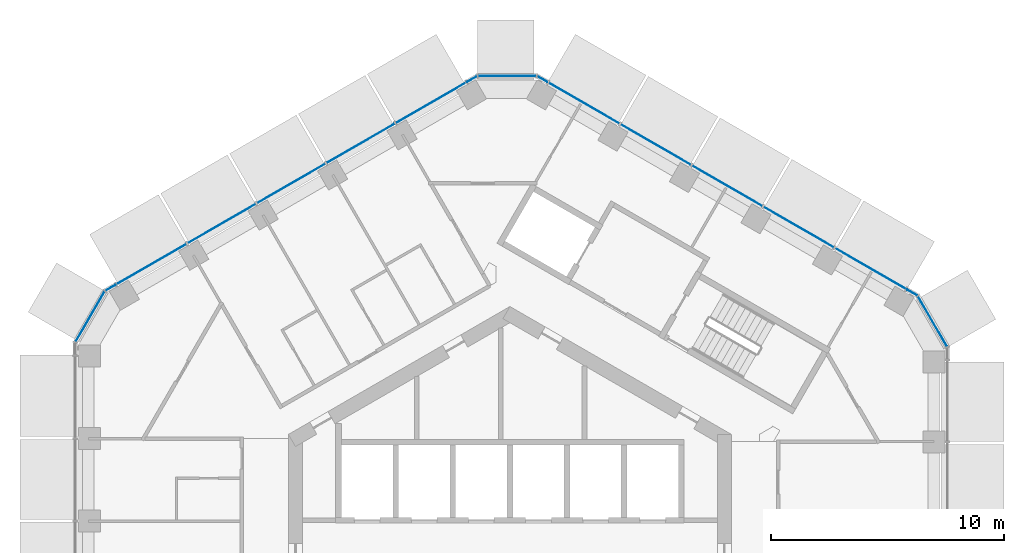
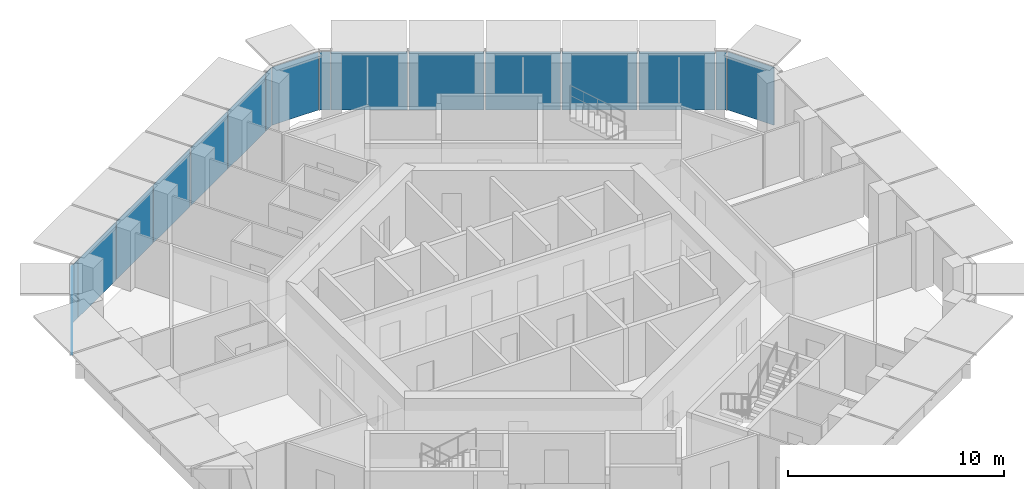
# One storey, part 12 of 18: 17 plates, 5 elements without a shape of their own.
"""IFC4 building model written with IfcOpenShell, lengths in metres."""

import ifcopenshell
import ifcopenshell.guid

model = None  # the IFC model being written
_history = None  # IfcOwnerHistory: only IFC2X3 demands one
_inside = {}  # id of a spatial element -> (the spatial element, [elements in it])
_under = {}  # id of a project, library or spatial element -> (it, [spatial elements below it])
_declared = {}  # id of a project -> (the project, [libraries it declares])
_typed = {}  # id of a type object -> (the type object, [elements of that type])
_made_of = {}  # id of a material, layer set ... -> (it, [elements and type objects made of it])


def new_model(schema):
    """Start an empty IFC model of exactly this schema.

    Asked for "IFC4X3", IfcOpenShell would pick the latest addendum, in which some entities
    have other attributes; the version numbers below select the first issue.
    IFC2X3 requires an IfcOwnerHistory on every rooted entity: one is made here for all.
    """
    global model, _history
    if schema == "IFC4X3":
        model = ifcopenshell.file(schema_version=(4, 3, 0, 0))
    else:
        model = ifcopenshell.file(schema=schema)
    _inside.clear()
    _under.clear()
    _declared.clear()
    _typed.clear()
    _made_of.clear()
    _history = None
    if model.schema == "IFC2X3":
        org = make("IfcOrganization", Name="unknown")
        user = make(
            "IfcPersonAndOrganization",
            ThePerson=make("IfcPerson", FamilyName="unknown"),
            TheOrganization=org,
        )
        app = make(
            "IfcApplication",
            ApplicationDeveloper=org,
            Version="unknown",
            ApplicationFullName="unknown",
            ApplicationIdentifier="unknown",
        )
        _history = make(
            "IfcOwnerHistory",
            OwningUser=user,
            OwningApplication=app,
            ChangeAction="ADDED",
            CreationDate=0,
        )
    return model


def make(cls, **values):
    """One entity of the class cls with the attributes given. An attribute that is None is left unset."""
    return model.create_entity(
        cls, **{name: value for name, value in values.items() if value is not None}
    )


def rooted(cls, **values):
    """An entity with a GlobalId (a new one), such as an element, a storey or a relation."""
    return make(cls, GlobalId=ifcopenshell.guid.new(), OwnerHistory=_history, **values)


def si_unit(unit_type, name, prefix=None):
    """IfcSIUnit, for example si_unit("LENGTHUNIT", "METRE", prefix="MILLI")."""
    return make("IfcSIUnit", UnitType=unit_type, Prefix=prefix, Name=name)


def assignment(units):
    """IfcUnitAssignment: the units of a project."""
    return None if units is None else make("IfcUnitAssignment", Units=units)


def point(xyz):
    """IfcCartesianPoint."""
    return None if xyz is None else make("IfcCartesianPoint", Coordinates=xyz)


def direction(xyz):
    """IfcDirection."""
    return None if xyz is None else make("IfcDirection", DirectionRatios=xyz)


def frame(location, z_axis=None, x_axis=None):
    """IfcAxis2Placement3D, a coordinate frame: its origin and axes. An axis left out is left unset."""
    return make(
        "IfcAxis2Placement3D",
        Location=point(location),
        Axis=direction(z_axis),
        RefDirection=direction(x_axis),
    )


def frame_2d(location, x_axis=None):
    """IfcAxis2Placement2D, a coordinate frame in the plane: its origin and x axis."""
    return make(
        "IfcAxis2Placement2D", Location=point(location), RefDirection=direction(x_axis)
    )


def origin():
    """The frame at (0, 0, 0) with its axes left unset."""
    return frame((0.0, 0.0, 0.0))


def origin_2d():
    """The frame at (0, 0) in the plane with its x axis left unset."""
    return frame_2d((0.0, 0.0))


def place(relative_to, where):
    """IfcLocalPlacement: puts the frame where relative to a parent placement (None: the world)."""
    return make(
        "IfcLocalPlacement", PlacementRelTo=relative_to, RelativePlacement=where
    )


def context(
    kind, dimensions, precision=None, world=None, true_north=None, identifier=None
):
    """IfcGeometricRepresentationContext, for example the 3D "Model" context."""
    return make(
        "IfcGeometricRepresentationContext",
        ContextIdentifier=identifier,
        ContextType=kind,
        CoordinateSpaceDimension=dimensions,
        Precision=precision,
        WorldCoordinateSystem=world,
        TrueNorth=true_north,
    )


def subcontext(parent, identifier, kind, view, scale=None):
    """IfcGeometricRepresentationSubContext, for example "Body" below "Model"."""
    return make(
        "IfcGeometricRepresentationSubContext",
        ContextIdentifier=identifier,
        ContextType=kind,
        ParentContext=parent,
        TargetScale=scale,
        TargetView=view,
    )


def project(units=None, contexts=None):
    """IfcProject with its units and contexts."""
    return rooted(
        "IfcProject",
        Name="project",
        RepresentationContexts=contexts,
        UnitsInContext=assignment(units),
    )


def spatial(cls, under=None, at=None, **own):
    """A site, building, storey or space (cls), placed at a placement, below another one or the project."""
    s = rooted(cls, ObjectPlacement=at, **own)
    if under is not None:
        _under.setdefault(under.id(), (under, []))[1].append(s)
    return s


def profile(cls, at=None, kind="AREA", **sizes):
    """A parametric profile (cls). Its sizes go by their IFC names, for example OverallWidth=200.0."""
    return make(cls, ProfileType=kind, Position=at, **sizes)


def rectangle(**sizes):
    """IfcRectangleProfileDef."""
    return profile("IfcRectangleProfileDef", **sizes)


def extrude(swept, where, along, depth):
    """IfcExtrudedAreaSolid: the profile swept, set in the frame where, extruded along a direction by depth."""
    return make(
        "IfcExtrudedAreaSolid",
        SweptArea=swept,
        Position=where,
        ExtrudedDirection=direction(along),
        Depth=depth,
    )


def shape(context_of_items, identifier, shape_type, items):
    """IfcShapeRepresentation: the items that make up one representation, for example the "Body"."""
    return make(
        "IfcShapeRepresentation",
        ContextOfItems=context_of_items,
        RepresentationIdentifier=identifier,
        RepresentationType=shape_type,
        Items=items,
    )


def material(Name=None, Category=None):
    """IfcMaterial."""
    return make("IfcMaterial", Name=Name, Category=Category)


def layer(
    of_material, thickness, ventilated=None, Name=None, Category=None, Priority=None
):
    """IfcMaterialLayer: one layer of a wall or slab, of a material (None: an air gap)."""
    return make(
        "IfcMaterialLayer",
        Material=of_material,
        LayerThickness=thickness,
        IsVentilated=ventilated,
        Name=Name,
        Category=Category,
        Priority=Priority,
    )


def layer_set(layers, Name=None):
    """IfcMaterialLayerSet."""
    return make("IfcMaterialLayerSet", MaterialLayers=layers, LayerSetName=Name)


def made_of(thing, what):
    """Note that an element or type object is made of a material, layer set ...; save() writes the relation."""
    if what is not None:
        _made_of.setdefault(what.id(), (what, []))[1].append(thing)
    return thing


def type_object(cls, material=None, **own):
    """A type object (cls), such as IfcWallType, which elements share."""
    return made_of(rooted(cls, **own), material)


def element(
    cls,
    number,
    at=None,
    inside=None,
    cuts=None,
    type_object=None,
    material=None,
    context=None,
    identifier="Body",
    shape_type=None,
    held_by="IfcProductDefinitionShape",
    body=None,
    shapes=None,
    **own,
):
    """One element of the class cls, such as IfcWall. Its Tag is "e" and its number.

    at: its placement. inside: the storey or other place that contains it. cuts: it is an
    opening in that element (IfcRelVoidsElement). A single representation is given by context,
    identifier, shape_type and body (its items); several are given by shapes. held_by: the class
    of the entity that holds the representations. save() writes the other relations.
    """
    e = rooted(cls, Tag="e%d" % number, ObjectPlacement=at, **own)
    if body is not None:
        shapes = [shape(context, identifier, shape_type, body)]
    if shapes is not None:
        e.Representation = make(held_by, Representations=shapes)
    if inside is not None:
        _inside.setdefault(inside.id(), (inside, []))[1].append(e)
    if cuts is not None:
        rooted(
            "IfcRelVoidsElement", RelatingBuildingElement=cuts, RelatedOpeningElement=e
        )
    if type_object is not None:
        _typed.setdefault(type_object.id(), (type_object, []))[1].append(e)
    return made_of(e, material)


def aggregate(whole, parts):
    """IfcRelAggregates: a whole, such as a stair, and the parts it consists of."""
    return rooted("IfcRelAggregates", RelatingObject=whole, RelatedObjects=parts)


def save(model, path):
    """Write the relations noted so far, then the file.

    IfcRelAggregates (storeys below a building ...), IfcRelContainedInSpatialStructure (elements
    in a storey), IfcRelDefinesByType, IfcRelAssociatesMaterial and IfcRelDeclares: one each for
    every whole, place, type object, material and project.
    """
    for whole, parts in _under.values():
        aggregate(whole, parts)
    for where, things in _inside.values():
        rooted(
            "IfcRelContainedInSpatialStructure",
            RelatedElements=things,
            RelatingStructure=where,
        )
    for kind, things in _typed.values():
        rooted("IfcRelDefinesByType", RelatedObjects=things, RelatingType=kind)
    for what, things in _made_of.values():
        rooted("IfcRelAssociatesMaterial", RelatedObjects=things, RelatingMaterial=what)
    for by, libraries in _declared.values():
        rooted("IfcRelDeclares", RelatingContext=by, RelatedDefinitions=libraries)
    model.write(path)


model = new_model("IFC4")

# Units and contexts
model_context = context("Model", 3, precision=1e-05, world=origin(), true_north=direction((0.0, 1.0)))
body_context = subcontext(model_context, "Body", "Model", "MODEL_VIEW")
ifc_project = project(units=[si_unit("LENGTHUNIT", "METRE"), si_unit("AREAUNIT", "SQUARE_METRE"), si_unit("VOLUMEUNIT", "CUBIC_METRE"), si_unit("PLANEANGLEUNIT", "RADIAN"), si_unit("MASSUNIT", "GRAM", prefix="KILO")], contexts=[model_context])

# Site, building, storey
site_placement = place(None, origin())
site = spatial("IfcSite", under=ifc_project, at=site_placement, CompositionType="ELEMENT")
building_placement = place(site_placement, origin())
building = spatial("IfcBuilding", under=site, at=building_placement, Name="Ayvan Gate Tower", CompositionType="ELEMENT")
storey_placement = place(building_placement, frame((0.0, 0.0, 159.5)))
storey = spatial("IfcBuildingStorey", under=building, at=storey_placement, Name="L42", CompositionType="ELEMENT", Elevation=159.5)

# Curtain wall, plates
ifc_material_1 = material(Name="Bronze anodised aluminium", Category="aluminium")
ifc_layer_1 = layer(ifc_material_1, 0.199951171875)
ifc_layer_set_1 = layer_set([ifc_layer_1], Name="Bronze anodised aluminium")
curtain_wall_type_1 = type_object("IfcCurtainWallType", Name="Stick curtain wall CW-2", PredefinedType="NOTDEFINED", material=ifc_layer_set_1)
curtain_wall_1_placement = place(storey_placement, origin())
curtain_wall_1 = element("IfcCurtainWall", 1, at=curtain_wall_1_placement, inside=storey, type_object=curtain_wall_type_1, Name="Stick curtain wall CW-2 L42", PredefinedType="NOTDEFINED")
ifc_material_2 = material(Name="Clear low-iron laminated glass", Category="glass")
ifc_layer_2 = layer(ifc_material_2, 0.028076171875)
ifc_layer_set_2 = layer_set([ifc_layer_2], Name="Clear low-iron laminated glass")
plate_type_1 = type_object("IfcPlateType", Name="Stick curtain wall CW-2 glass panel", PredefinedType="CURTAIN_PANEL", material=ifc_layer_set_2)
plate_1_placement = place(storey_placement, frame((-3.37744140625, 19.714111328125, 0.0), z_axis=(0.0, 0.0, 1.0), x_axis=(-0.866025403784, -0.5, 0.0)))
plate_1 = element("IfcPlate", 2, at=plate_1_placement, type_object=plate_type_1, Name="CW-2 glass panel 1", PredefinedType="CURTAIN_PANEL", context=body_context, shape_type="SweptSolid", body=[
    extrude(rectangle(XDim=3.47900390625, YDim=0.028076171875, at=origin_2d()), origin(), (0.0, 0.0, 1.0), 3.280029296875),
])
plate_2_placement = place(storey_placement, frame((-6.40283203125, 17.96728515625, 0.0), z_axis=(0.0, 0.0, 1.0), x_axis=(-0.866025403784, -0.5, 0.0)))
plate_2 = element("IfcPlate", 3, at=plate_2_placement, type_object=plate_type_1, Name="CW-2 glass panel 2", PredefinedType="CURTAIN_PANEL", context=body_context, shape_type="SweptSolid", body=[
    extrude(rectangle(XDim=3.367919921875, YDim=0.028076171875, at=origin_2d()), origin(), (0.0, 0.0, 1.0), 3.280029296875),
])
plate_3_placement = place(storey_placement, frame((-9.380615234375, 16.248046875, 0.0), z_axis=(0.0, 0.0, 1.0), x_axis=(-0.866025403784, -0.5, 0.0)))
plate_3 = element("IfcPlate", 4, at=plate_3_placement, type_object=plate_type_1, Name="CW-2 glass panel 3", PredefinedType="CURTAIN_PANEL", context=body_context, shape_type="SweptSolid", body=[
    extrude(rectangle(XDim=3.368896484375, YDim=0.028076171875, at=origin_2d()), origin(), (0.0, 0.0, 1.0), 3.280029296875),
])
plate_4_placement = place(storey_placement, frame((-12.35888671875, 14.528564453125, 0.0), z_axis=(0.0, 0.0, 1.0), x_axis=(-0.866025403784, -0.5, 0.0)))
plate_4 = element("IfcPlate", 5, at=plate_4_placement, type_object=plate_type_1, Name="CW-2 glass panel 4", PredefinedType="CURTAIN_PANEL", context=body_context, shape_type="SweptSolid", body=[
    extrude(rectangle(XDim=3.368896484375, YDim=0.028076171875, at=origin_2d()), origin(), (0.0, 0.0, 1.0), 3.280029296875),
])
plate_5_placement = place(storey_placement, frame((-15.384521484375, 12.78173828125, 0.0), z_axis=(0.0, 0.0, 1.0), x_axis=(-0.866025403784, -0.5, 0.0)))
plate_5 = element("IfcPlate", 6, at=plate_5_placement, type_object=plate_type_1, Name="CW-2 glass panel 5", PredefinedType="CURTAIN_PANEL", context=body_context, shape_type="SweptSolid", body=[
    extrude(rectangle(XDim=3.478271484375, YDim=0.028076171875, at=origin_2d()), origin(), (0.0, 0.0, 1.0), 3.280029296875),
])
aggregate(curtain_wall_1, [plate_1, plate_2, plate_3, plate_4, plate_5])

curtain_wall_2_placement = place(storey_placement, origin())
curtain_wall_2 = element("IfcCurtainWall", 7, at=curtain_wall_2_placement, inside=storey, type_object=curtain_wall_type_1, Name="Stick curtain wall CW-2 L42", PredefinedType="NOTDEFINED")
plate_6_placement = place(storey_placement, frame((15.480712890625, 12.589111328125, 0.0), z_axis=(0.0, 0.0, 1.0), x_axis=(-0.866025403784, 0.5, 0.0)))
plate_6 = element("IfcPlate", 8, at=plate_6_placement, type_object=plate_type_1, Name="CW-2 glass panel 1", PredefinedType="CURTAIN_PANEL", context=body_context, shape_type="SweptSolid", body=[
    extrude(rectangle(XDim=3.530029296875, YDim=0.028076171875, at=origin_2d()), origin(), (0.0, 0.0, 1.0), 3.280029296875),
])
plate_7_placement = place(storey_placement, frame((12.388671875, 14.374267578125, 0.0), z_axis=(0.0, 0.0, 1.0), x_axis=(-0.866025403784, 0.5, 0.0)))
plate_7 = element("IfcPlate", 9, at=plate_7_placement, type_object=plate_type_1, Name="CW-2 glass panel 2", PredefinedType="CURTAIN_PANEL", context=body_context, shape_type="SweptSolid", body=[
    extrude(rectangle(XDim=3.470947265625, YDim=0.028076171875, at=origin_2d()), origin(), (0.0, 0.0, 1.0), 3.280029296875),
])
plate_8_placement = place(storey_placement, frame((9.321533203125, 16.14501953125, 0.0), z_axis=(0.0, 0.0, 1.0), x_axis=(-0.866025403784, 0.5, 0.0)))
plate_8 = element("IfcPlate", 10, at=plate_8_placement, type_object=plate_type_1, Name="CW-2 glass panel 3", PredefinedType="CURTAIN_PANEL", context=body_context, shape_type="SweptSolid", body=[
    extrude(rectangle(XDim=3.471923828125, YDim=0.028076171875, at=origin_2d()), origin(), (0.0, 0.0, 1.0), 3.280029296875),
])
plate_9_placement = place(storey_placement, frame((6.254638671875, 17.915771484375, 0.0), z_axis=(0.0, 0.0, 1.0), x_axis=(-0.866025403784, 0.5, 0.0)))
plate_9 = element("IfcPlate", 11, at=plate_9_placement, type_object=plate_type_1, Name="CW-2 glass panel 4", PredefinedType="CURTAIN_PANEL", context=body_context, shape_type="SweptSolid", body=[
    extrude(rectangle(XDim=3.470947265625, YDim=0.028076171875, at=origin_2d()), origin(), (0.0, 0.0, 1.0), 3.280029296875),
])
plate_10_placement = place(storey_placement, frame((3.162353515625, 19.701171875, 0.0), z_axis=(0.0, 0.0, 1.0), x_axis=(-0.866025403784, 0.5, 0.0)))
plate_10 = element("IfcPlate", 12, at=plate_10_placement, type_object=plate_type_1, Name="CW-2 glass panel 5", PredefinedType="CURTAIN_PANEL", context=body_context, shape_type="SweptSolid", body=[
    extrude(rectangle(XDim=3.5302734375, YDim=0.028076171875, at=origin_2d()), origin(), (0.0, 0.0, 1.0), 3.280029296875),
])
aggregate(curtain_wall_2, [plate_6, plate_7, plate_8, plate_9, plate_10])

ifc_layer_3 = layer(ifc_material_1, 0.199951171875)
ifc_layer_set_3 = layer_set([ifc_layer_3], Name="Bronze anodised aluminium")
curtain_wall_type_2 = type_object("IfcCurtainWallType", Name="Stick curtain wall CW-6", PredefinedType="NOTDEFINED", material=ifc_layer_set_3)
curtain_wall_3_placement = place(storey_placement, origin())
curtain_wall_3 = element("IfcCurtainWall", 13, at=curtain_wall_3_placement, inside=storey, type_object=curtain_wall_type_2, Name="Stick curtain wall CW-6 L42", PredefinedType="NOTDEFINED")
ifc_layer_4 = layer(ifc_material_2, 0.028076171875)
ifc_layer_set_4 = layer_set([ifc_layer_4], Name="Clear low-iron laminated glass")
plate_type_2 = type_object("IfcPlateType", Name="Stick curtain wall CW-6 glass panel", PredefinedType="CURTAIN_PANEL", material=ifc_layer_set_4)
plate_11_placement = place(storey_placement, frame((-17.137451171875, 11.769775390625, 0.0), z_axis=(0.0, 0.0, 1.0), x_axis=(-0.866025403784, -0.5, 0.0)))
plate_11 = element("IfcPlate", 14, at=plate_11_placement, type_object=plate_type_2, Name="CW-6 glass panel 1", PredefinedType="CURTAIN_PANEL", context=body_context, shape_type="SweptSolid", body=[
    extrude(rectangle(XDim=0.5, YDim=0.028076171875, at=origin_2d()), origin(), (0.0, 0.0, 1.0), 3.280029296875),
])
plate_12_placement = place(storey_placement, frame((-18.00927734375, 10.53466796875, 0.0), z_axis=(0.0, 0.0, 1.0), x_axis=(-0.5, -0.866025403784, 0.0)))
plate_12 = element("IfcPlate", 15, at=plate_12_placement, type_object=plate_type_2, Name="CW-6 glass panel 2", PredefinedType="CURTAIN_PANEL", context=body_context, shape_type="SweptSolid", body=[
    extrude(rectangle(XDim=2.484619140625, YDim=0.028076171875, at=origin_2d()), origin(), (0.0, 0.0, 1.0), 3.280029296875),
])
aggregate(curtain_wall_3, [plate_11, plate_12])

curtain_wall_4_placement = place(storey_placement, origin())
curtain_wall_4 = element("IfcCurtainWall", 16, at=curtain_wall_4_placement, inside=storey, type_object=curtain_wall_type_2, Name="Stick curtain wall CW-6 L42", PredefinedType="NOTDEFINED")
plate_13_placement = place(storey_placement, frame((18.1279296875, 10.3291015625, 0.0), z_axis=(0.0, 0.0, 1.0), x_axis=(-0.5, 0.866025403784, 0.0)))
plate_13 = element("IfcPlate", 17, at=plate_13_placement, type_object=plate_type_2, Name="CW-6 glass panel 2", PredefinedType="CURTAIN_PANEL", context=body_context, shape_type="SweptSolid", body=[
    extrude(rectangle(XDim=2.484619140625, YDim=0.028076171875, at=origin_2d()), origin(), (0.0, 0.0, 1.0), 3.280029296875),
])
plate_14_placement = place(storey_placement, frame((17.256103515625, 11.56396484375, 0.0), z_axis=(0.0, 0.0, 1.0), x_axis=(-0.866025403784, 0.5, 0.0)))
plate_14 = element("IfcPlate", 18, at=plate_14_placement, type_object=plate_type_2, Name="CW-6 glass panel 3", PredefinedType="CURTAIN_PANEL", context=body_context, shape_type="SweptSolid", body=[
    extrude(rectangle(XDim=0.5, YDim=0.028076171875, at=origin_2d()), origin(), (0.0, 0.0, 1.0), 3.280029296875),
])
aggregate(curtain_wall_4, [plate_13, plate_14])

curtain_wall_5_placement = place(storey_placement, origin())
curtain_wall_5 = element("IfcCurtainWall", 19, at=curtain_wall_5_placement, inside=storey, type_object=curtain_wall_type_2, Name="Stick curtain wall CW-6 L42", PredefinedType="NOTDEFINED")
plate_15_placement = place(storey_placement, frame((1.38671875, 20.726318359375, 0.0), z_axis=(0.0, 0.0, 1.0), x_axis=(-0.866025403784, 0.5, 0.0)))
plate_15 = element("IfcPlate", 20, at=plate_15_placement, type_object=plate_type_2, Name="CW-6 glass panel 1", PredefinedType="CURTAIN_PANEL", context=body_context, shape_type="SweptSolid", body=[
    extrude(rectangle(XDim=0.5, YDim=0.028076171875, at=origin_2d()), origin(), (0.0, 0.0, 1.0), 3.280029296875),
])
plate_16_placement = place(storey_placement, frame((-0.11865234375, 20.86376953125, 0.0), z_axis=(0.0, 0.0, 1.0), x_axis=(-1.0, 0.0, 0.0)))
plate_16 = element("IfcPlate", 21, at=plate_16_placement, type_object=plate_type_2, Name="CW-6 glass panel 2", PredefinedType="CURTAIN_PANEL", context=body_context, shape_type="SweptSolid", body=[
    extrude(rectangle(XDim=2.484619140625, YDim=0.028076171875, at=origin_2d()), origin(), (0.0, 0.0, 1.0), 3.280029296875),
])
plate_17_placement = place(storey_placement, frame((-1.6240234375, 20.726318359375, 0.0), z_axis=(0.0, 0.0, 1.0), x_axis=(-0.866025403784, -0.5, 0.0)))
plate_17 = element("IfcPlate", 22, at=plate_17_placement, type_object=plate_type_2, Name="CW-6 glass panel 3", PredefinedType="CURTAIN_PANEL", context=body_context, shape_type="SweptSolid", body=[
    extrude(rectangle(XDim=0.5, YDim=0.028076171875, at=origin_2d()), origin(), (0.0, 0.0, 1.0), 3.280029296875),
])
aggregate(curtain_wall_5, [plate_15, plate_16, plate_17])

save(model, "model.ifc")
